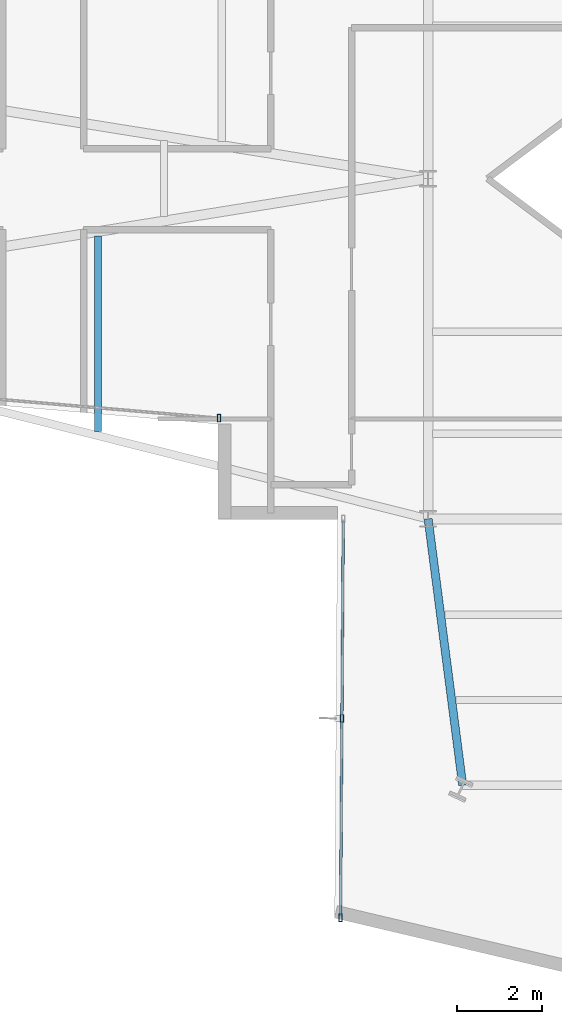
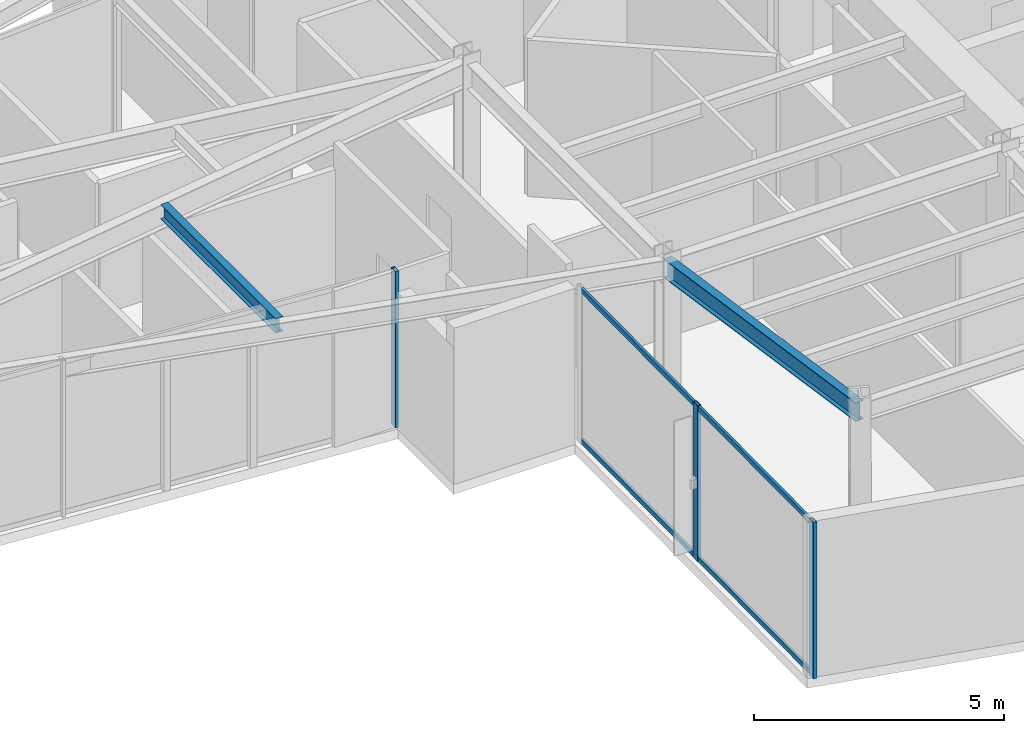
# One storey, part 4 of 26: 5 members, 2 beams, 2 elements without a shape of their own.
"""IFC4 building model written with IfcOpenShell, lengths in metres."""

import ifcopenshell
import ifcopenshell.guid

model = None  # the IFC model being written
_history = None  # IfcOwnerHistory: only IFC2X3 demands one
_inside = {}  # id of a spatial element -> (the spatial element, [elements in it])
_under = {}  # id of a project, library or spatial element -> (it, [spatial elements below it])
_declared = {}  # id of a project -> (the project, [libraries it declares])
_typed = {}  # id of a type object -> (the type object, [elements of that type])
_made_of = {}  # id of a material, layer set ... -> (it, [elements and type objects made of it])


def new_model(schema):
    """Start an empty IFC model of exactly this schema.

    Asked for "IFC4X3", IfcOpenShell would pick the latest addendum, in which some entities
    have other attributes; the version numbers below select the first issue.
    IFC2X3 requires an IfcOwnerHistory on every rooted entity: one is made here for all.
    """
    global model, _history
    if schema == "IFC4X3":
        model = ifcopenshell.file(schema_version=(4, 3, 0, 0))
    else:
        model = ifcopenshell.file(schema=schema)
    _inside.clear()
    _under.clear()
    _declared.clear()
    _typed.clear()
    _made_of.clear()
    _history = None
    if model.schema == "IFC2X3":
        org = make("IfcOrganization", Name="unknown")
        user = make(
            "IfcPersonAndOrganization",
            ThePerson=make("IfcPerson", FamilyName="unknown"),
            TheOrganization=org,
        )
        app = make(
            "IfcApplication",
            ApplicationDeveloper=org,
            Version="unknown",
            ApplicationFullName="unknown",
            ApplicationIdentifier="unknown",
        )
        _history = make(
            "IfcOwnerHistory",
            OwningUser=user,
            OwningApplication=app,
            ChangeAction="ADDED",
            CreationDate=0,
        )
    return model


def make(cls, **values):
    """One entity of the class cls with the attributes given. An attribute that is None is left unset."""
    return model.create_entity(
        cls, **{name: value for name, value in values.items() if value is not None}
    )


def rooted(cls, **values):
    """An entity with a GlobalId (a new one), such as an element, a storey or a relation."""
    return make(cls, GlobalId=ifcopenshell.guid.new(), OwnerHistory=_history, **values)


def si_unit(unit_type, name, prefix=None):
    """IfcSIUnit, for example si_unit("LENGTHUNIT", "METRE", prefix="MILLI")."""
    return make("IfcSIUnit", UnitType=unit_type, Prefix=prefix, Name=name)


def assignment(units):
    """IfcUnitAssignment: the units of a project."""
    return None if units is None else make("IfcUnitAssignment", Units=units)


def point(xyz):
    """IfcCartesianPoint."""
    return None if xyz is None else make("IfcCartesianPoint", Coordinates=xyz)


def direction(xyz):
    """IfcDirection."""
    return None if xyz is None else make("IfcDirection", DirectionRatios=xyz)


def frame(location, z_axis=None, x_axis=None):
    """IfcAxis2Placement3D, a coordinate frame: its origin and axes. An axis left out is left unset."""
    return make(
        "IfcAxis2Placement3D",
        Location=point(location),
        Axis=direction(z_axis),
        RefDirection=direction(x_axis),
    )


def frame_2d(location, x_axis=None):
    """IfcAxis2Placement2D, a coordinate frame in the plane: its origin and x axis."""
    return make(
        "IfcAxis2Placement2D", Location=point(location), RefDirection=direction(x_axis)
    )


def origin():
    """The frame at (0, 0, 0) with its axes left unset."""
    return frame((0.0, 0.0, 0.0))


def origin_2d():
    """The frame at (0, 0) in the plane with its x axis left unset."""
    return frame_2d((0.0, 0.0))


def place(relative_to, where):
    """IfcLocalPlacement: puts the frame where relative to a parent placement (None: the world)."""
    return make(
        "IfcLocalPlacement", PlacementRelTo=relative_to, RelativePlacement=where
    )


def context(
    kind, dimensions, precision=None, world=None, true_north=None, identifier=None
):
    """IfcGeometricRepresentationContext, for example the 3D "Model" context."""
    return make(
        "IfcGeometricRepresentationContext",
        ContextIdentifier=identifier,
        ContextType=kind,
        CoordinateSpaceDimension=dimensions,
        Precision=precision,
        WorldCoordinateSystem=world,
        TrueNorth=true_north,
    )


def subcontext(parent, identifier, kind, view, scale=None):
    """IfcGeometricRepresentationSubContext, for example "Body" below "Model"."""
    return make(
        "IfcGeometricRepresentationSubContext",
        ContextIdentifier=identifier,
        ContextType=kind,
        ParentContext=parent,
        TargetScale=scale,
        TargetView=view,
    )


def project(units=None, contexts=None):
    """IfcProject with its units and contexts."""
    return rooted(
        "IfcProject",
        Name="project",
        RepresentationContexts=contexts,
        UnitsInContext=assignment(units),
    )


def spatial(cls, under=None, at=None, **own):
    """A site, building, storey or space (cls), placed at a placement, below another one or the project."""
    s = rooted(cls, ObjectPlacement=at, **own)
    if under is not None:
        _under.setdefault(under.id(), (under, []))[1].append(s)
    return s


def profile(cls, at=None, kind="AREA", **sizes):
    """A parametric profile (cls). Its sizes go by their IFC names, for example OverallWidth=200.0."""
    return make(cls, ProfileType=kind, Position=at, **sizes)


def hollow_rectangle(**sizes):
    """IfcRectangleHollowProfileDef."""
    return profile("IfcRectangleHollowProfileDef", **sizes)


def i_section(**sizes):
    """IfcIShapeProfileDef."""
    return profile("IfcIShapeProfileDef", **sizes)


def extrude(swept, where, along, depth):
    """IfcExtrudedAreaSolid: the profile swept, set in the frame where, extruded along a direction by depth."""
    return make(
        "IfcExtrudedAreaSolid",
        SweptArea=swept,
        Position=where,
        ExtrudedDirection=direction(along),
        Depth=depth,
    )


def shape(context_of_items, identifier, shape_type, items):
    """IfcShapeRepresentation: the items that make up one representation, for example the "Body"."""
    return make(
        "IfcShapeRepresentation",
        ContextOfItems=context_of_items,
        RepresentationIdentifier=identifier,
        RepresentationType=shape_type,
        Items=items,
    )


def material(Name=None, Category=None):
    """IfcMaterial."""
    return make("IfcMaterial", Name=Name, Category=Category)


def layer(
    of_material, thickness, ventilated=None, Name=None, Category=None, Priority=None
):
    """IfcMaterialLayer: one layer of a wall or slab, of a material (None: an air gap)."""
    return make(
        "IfcMaterialLayer",
        Material=of_material,
        LayerThickness=thickness,
        IsVentilated=ventilated,
        Name=Name,
        Category=Category,
        Priority=Priority,
    )


def layer_set(layers, Name=None):
    """IfcMaterialLayerSet."""
    return make("IfcMaterialLayerSet", MaterialLayers=layers, LayerSetName=Name)


def material_profile(
    of_material, cross_section, Name=None, Category=None, Priority=None
):
    """IfcMaterialProfile: a cross section and its material."""
    return make(
        "IfcMaterialProfile",
        Name=Name,
        Material=of_material,
        Profile=cross_section,
        Priority=Priority,
        Category=Category,
    )


def profile_set(profiles, Name=None, composite=None):
    """IfcMaterialProfileSet."""
    return make(
        "IfcMaterialProfileSet",
        Name=Name,
        MaterialProfiles=profiles,
        CompositeProfile=composite,
    )


def made_of(thing, what):
    """Note that an element or type object is made of a material, layer set ...; save() writes the relation."""
    if what is not None:
        _made_of.setdefault(what.id(), (what, []))[1].append(thing)
    return thing


def type_object(cls, material=None, **own):
    """A type object (cls), such as IfcWallType, which elements share."""
    return made_of(rooted(cls, **own), material)


def element(
    cls,
    number,
    at=None,
    inside=None,
    cuts=None,
    type_object=None,
    material=None,
    context=None,
    identifier="Body",
    shape_type=None,
    held_by="IfcProductDefinitionShape",
    body=None,
    shapes=None,
    **own,
):
    """One element of the class cls, such as IfcWall. Its Tag is "e" and its number.

    at: its placement. inside: the storey or other place that contains it. cuts: it is an
    opening in that element (IfcRelVoidsElement). A single representation is given by context,
    identifier, shape_type and body (its items); several are given by shapes. held_by: the class
    of the entity that holds the representations. save() writes the other relations.
    """
    e = rooted(cls, Tag="e%d" % number, ObjectPlacement=at, **own)
    if body is not None:
        shapes = [shape(context, identifier, shape_type, body)]
    if shapes is not None:
        e.Representation = make(held_by, Representations=shapes)
    if inside is not None:
        _inside.setdefault(inside.id(), (inside, []))[1].append(e)
    if cuts is not None:
        rooted(
            "IfcRelVoidsElement", RelatingBuildingElement=cuts, RelatedOpeningElement=e
        )
    if type_object is not None:
        _typed.setdefault(type_object.id(), (type_object, []))[1].append(e)
    return made_of(e, material)


def aggregate(whole, parts):
    """IfcRelAggregates: a whole, such as a stair, and the parts it consists of."""
    return rooted("IfcRelAggregates", RelatingObject=whole, RelatedObjects=parts)


def save(model, path):
    """Write the relations noted so far, then the file.

    IfcRelAggregates (storeys below a building ...), IfcRelContainedInSpatialStructure (elements
    in a storey), IfcRelDefinesByType, IfcRelAssociatesMaterial and IfcRelDeclares: one each for
    every whole, place, type object, material and project.
    """
    for whole, parts in _under.values():
        aggregate(whole, parts)
    for where, things in _inside.values():
        rooted(
            "IfcRelContainedInSpatialStructure",
            RelatedElements=things,
            RelatingStructure=where,
        )
    for kind, things in _typed.values():
        rooted("IfcRelDefinesByType", RelatedObjects=things, RelatingType=kind)
    for what, things in _made_of.values():
        rooted("IfcRelAssociatesMaterial", RelatedObjects=things, RelatingMaterial=what)
    for by, libraries in _declared.values():
        rooted("IfcRelDeclares", RelatingContext=by, RelatedDefinitions=libraries)
    model.write(path)


model = new_model("IFC4")

# Units and contexts
model_context = context("Model", 3, precision=1e-05, world=origin(), true_north=direction((0.0, 1.0)))
body_context = subcontext(model_context, "Body", "Model", "MODEL_VIEW")
ifc_project = project(units=[si_unit("LENGTHUNIT", "METRE"), si_unit("AREAUNIT", "SQUARE_METRE"), si_unit("VOLUMEUNIT", "CUBIC_METRE"), si_unit("PLANEANGLEUNIT", "RADIAN"), si_unit("MASSUNIT", "GRAM", prefix="KILO")], contexts=[model_context])

# Site, building, storey
site_placement = place(None, origin())
site = spatial("IfcSite", under=ifc_project, at=site_placement, CompositionType="ELEMENT")
building_placement = place(site_placement, origin())
building = spatial("IfcBuilding", under=site, at=building_placement, Name="Veymaron Broadcast Tower", CompositionType="ELEMENT")
storey_placement = place(building_placement, frame((0.0, 0.0, 157.35009765625)))
storey = spatial("IfcBuildingStorey", under=building, at=storey_placement, Name="L36", CompositionType="ELEMENT", Elevation=157.35009765625)

# Beams
ifc_material_1 = material(Name="Structural steel ASTM A992 Gr 50", Category="steel")
ifc_material_profile_1 = material_profile(ifc_material_1, i_section(OverallWidth=0.1708984375, OverallDepth=0.35498046875, WebThickness=0.007080078125, FlangeThickness=0.01171875, at=origin_2d()), Name="W360X51")
ifc_profile_set_1 = profile_set([ifc_material_profile_1], Name="Structural steel ASTM A992 Gr 50")
beam_type_1 = type_object("IfcBeamType", Name="BM-JS2", PredefinedType="JOIST", material=ifc_profile_set_1)
beam_1_placement = place(storey_placement, frame((23.44091796875, 18.055908203125, 3.63232421875), z_axis=(0.0, 1.0, 0.0), x_axis=(-1.0, 0.0, 0.0)))
element("IfcBeam", 1, at=beam_1_placement, inside=storey, type_object=beam_type_1, Name="L36 Arm-A secondary joist 2S", PredefinedType="JOIST", context=body_context, shape_type="SweptSolid", body=[
    extrude(i_section(OverallWidth=0.1708984375, OverallDepth=0.35498046875, WebThickness=0.007080078125, FlangeThickness=0.01171875, at=origin_2d()), origin(), (0.0, 0.0, 1.0), 4.60009765625),
])
ifc_material_profile_2 = material_profile(ifc_material_1, i_section(OverallWidth=0.19091796875, OverallDepth=0.4599609375, WebThickness=0.010009765625, FlangeThickness=0.01611328125, at=origin_2d()), Name="W460X82")
ifc_profile_set_2 = profile_set([ifc_material_profile_2], Name="Structural steel ASTM A992 Gr 50")
beam_type_2 = type_object("IfcBeamType", Name="BM-SP1", PredefinedType="SPANDREL", material=ifc_profile_set_2)
beam_2_placement = place(storey_placement, frame((31.199951171875, 16.0, 3.579833984375), z_axis=(0.128636441382, -0.991691820047, 0.0), x_axis=(0.991691820047, 0.128636441382, 0.0)))
element("IfcBeam", 2, at=beam_2_placement, inside=storey, type_object=beam_type_2, Name="L36 primary structural floor girder", PredefinedType="SPANDREL", context=body_context, shape_type="SweptSolid", body=[
    extrude(i_section(OverallWidth=0.19091796875, OverallDepth=0.4599609375, WebThickness=0.010009765625, FlangeThickness=0.01611328125, at=origin_2d()), origin(), (0.0, 0.0, 1.0), 6.3125),
])

# Curtain wall, member
ifc_material_2 = material(Name="Anodised aluminium AA 6063-T6 and laminated low-E dark glass", Category="aluminium")
ifc_layer = layer(ifc_material_2, 0.179931640625)
ifc_layer_set = layer_set([ifc_layer], Name="Anodised aluminium AA 6063-T6 and laminated low-E dark glass")
curtain_wall_type = type_object("IfcCurtainWallType", Name="CW-SYS-03", PredefinedType="NOTDEFINED", material=ifc_layer_set)
curtain_wall_1_placement = place(storey_placement, origin())
curtain_wall_1 = element("IfcCurtainWall", 3, at=curtain_wall_1_placement, inside=storey, type_object=curtain_wall_type, Name="L36 dark-glass curtain wall CW-L36-E14-1", PredefinedType="NOTDEFINED")
ifc_material_3 = material(Name="Anodised aluminium AA 6063-T6", Category="aluminium")
ifc_material_profile_3 = material_profile(ifc_material_3, hollow_rectangle(XDim=0.074951171875, YDim=0.179931640625, WallThickness=0.0048828125, at=origin_2d()), Name="AL180X75X5")
ifc_profile_set_3 = profile_set([ifc_material_profile_3], Name="Anodised aluminium AA 6063-T6")
member_type_1 = type_object("IfcMemberType", Name="CW-MUL-02", PredefinedType="MULLION", material=ifc_profile_set_3)
member_1_placement = place(storey_placement, frame((26.282470703125, 18.368896484375, 0.0), z_axis=(0.0, 0.0, 1.0), x_axis=(1.0, 0.0, 0.0)))
member_1 = element("IfcMember", 4, at=member_1_placement, type_object=member_type_1, Name="CW-L36-E14-1 mullion 2", PredefinedType="MULLION", context=body_context, shape_type="SweptSolid", body=[
    extrude(hollow_rectangle(XDim=0.074951171875, YDim=0.179931640625, WallThickness=0.0048828125, at=origin_2d()), origin(), (0.0, 0.0, 1.0), 3.809814453125),
])
aggregate(curtain_wall_1, [member_1])

# Curtain wall, members
curtain_wall_2_placement = place(storey_placement, origin())
curtain_wall_2 = element("IfcCurtainWall", 5, at=curtain_wall_2_placement, inside=storey, type_object=curtain_wall_type, Name="L36 dark-glass curtain wall CW-L36-E17-1", PredefinedType="NOTDEFINED")
member_2_placement = place(storey_placement, frame((29.173095703125, 11.3125, 0.0), z_axis=(0.0, 0.0, 1.0), x_axis=(1.0, 0.0, 0.0)))
member_2 = element("IfcMember", 6, at=member_2_placement, type_object=member_type_1, Name="CW-L36-E17-1 mullion 1", PredefinedType="MULLION", context=body_context, shape_type="SweptSolid", body=[
    extrude(hollow_rectangle(XDim=0.074951171875, YDim=0.179931640625, WallThickness=0.0048828125, at=origin_2d()), origin(), (0.0, 0.0, 1.0), 3.809814453125),
])
member_3_placement = place(storey_placement, frame((29.14111328125, 6.626220703125, 0.0), z_axis=(0.0, 0.0, 1.0), x_axis=(1.0, 0.0, 0.0)))
member_3 = element("IfcMember", 7, at=member_3_placement, type_object=member_type_1, Name="CW-L36-E17-1 mullion 2", PredefinedType="MULLION", context=body_context, shape_type="SweptSolid", body=[
    extrude(hollow_rectangle(XDim=0.074951171875, YDim=0.179931640625, WallThickness=0.0048828125, at=origin_2d()), origin(), (0.0, 0.0, 1.0), 3.809814453125),
])
ifc_material_profile_4 = material_profile(ifc_material_3, hollow_rectangle(XDim=0.06005859375, YDim=0.1201171875, WallThickness=0.00390625, at=origin_2d()), Name="AL120X60X4")
ifc_profile_set_4 = profile_set([ifc_material_profile_4], Name="Anodised aluminium AA 6063-T6")
member_type_2 = type_object("IfcMemberType", Name="CW-TRN-02", PredefinedType="USERDEFINED", material=ifc_profile_set_4)
member_4_placement = place(storey_placement, frame((29.20458984375, 15.948974609375, 0.06982421875), z_axis=(-0.006819040527, -0.999976750073, 0.0), x_axis=(0.999976750073, -0.006819040527, 0.0)))
member_4 = element("IfcMember", 8, at=member_4_placement, type_object=member_type_2, Name="CW-L36-E17-1 transom B", ObjectType="TRANSOM", PredefinedType="USERDEFINED", context=body_context, shape_type="SweptSolid", body=[
    extrude(hollow_rectangle(XDim=0.06005859375, YDim=0.1201171875, WallThickness=0.00390625, at=origin_2d()), origin(), (0.0, 0.0, 1.0), 9.27294921875),
])
member_5_placement = place(storey_placement, frame((29.20458984375, 15.948974609375, 3.739990234375), z_axis=(-0.006819040527, -0.999976750073, 0.0), x_axis=(0.999976750073, -0.006819040527, 0.0)))
member_5 = element("IfcMember", 9, at=member_5_placement, type_object=member_type_2, Name="CW-L36-E17-1 transom T", ObjectType="TRANSOM", PredefinedType="USERDEFINED", context=body_context, shape_type="SweptSolid", body=[
    extrude(hollow_rectangle(XDim=0.06005859375, YDim=0.1201171875, WallThickness=0.00390625, at=origin_2d()), origin(), (0.0, 0.0, 1.0), 9.27294921875),
])
aggregate(curtain_wall_2, [member_2, member_3, member_4, member_5])

save(model, "model.ifc")
